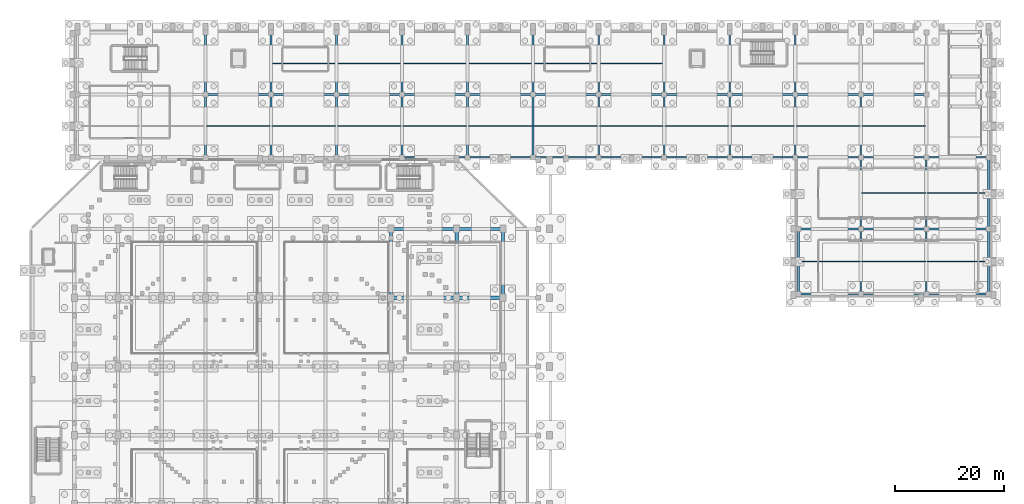
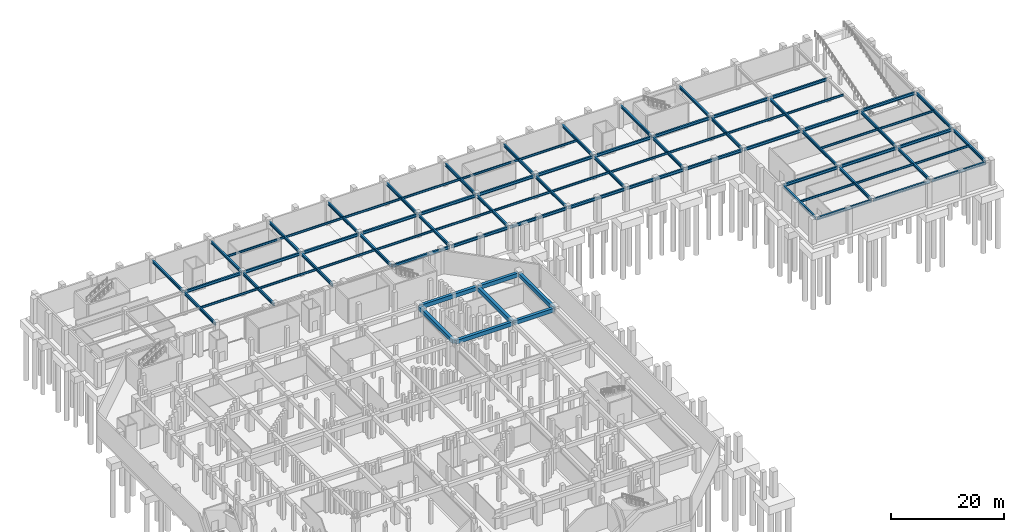
# One storey, part 12 of 27: 83 beams.
"""IFC4 building model written with IfcOpenShell, lengths in metres."""

from ifc_helpers import new_model, si_unit, derived_unit, direction, frame, origin, origin_2d, place, context, subcontext, project, spatial, rectangle, i_section, extrude, material, material_profile, profile_set, type_object, element, save


model = new_model("IFC4")

# Units and contexts
model_context = context("Model", 3, precision=1e-05, world=origin(), true_north=direction((0.0, 1.0)))
body_context = subcontext(model_context, "Body", "Model", "MODEL_VIEW")
ifc_project = project(units=[si_unit("LENGTHUNIT", "METRE"), si_unit("AREAUNIT", "SQUARE_METRE"), si_unit("VOLUMEUNIT", "CUBIC_METRE"), si_unit("PLANEANGLEUNIT", "RADIAN"), si_unit("MASSUNIT", "GRAM", prefix="KILO"), derived_unit("THERMALTRANSMITTANCEUNIT", [(si_unit("MASSUNIT", "GRAM", prefix="KILO"), 1), (si_unit("TIMEUNIT", "SECOND"), -3), (si_unit("THERMODYNAMICTEMPERATUREUNIT", "KELVIN"), -1)])], contexts=[model_context])

# Site, building, storey
site_placement = place(None, origin())
site = spatial("IfcSite", under=ifc_project, at=site_placement, CompositionType="ELEMENT")
building_placement = place(site_placement, origin())
building = spatial("IfcBuilding", under=site, at=building_placement, Name="Valcora Ridge Arena", CompositionType="ELEMENT")
storey_placement = place(building_placement, frame((0.0, 0.0, -5.39990234375)))
storey = spatial("IfcBuildingStorey", under=building, at=storey_placement, Name="B1", CompositionType="ELEMENT", Elevation=-5.39990234375)

# Beams
ifc_material_1 = material(Name="Concrete C40/50", Category="concrete")
ifc_material_profile_1 = material_profile(ifc_material_1, rectangle(XDim=0.60009765625, YDim=0.85009765625, at=origin_2d()), Name="RC 600x850")
ifc_profile_set_1 = profile_set([ifc_material_profile_1], Name="Concrete C40/50")
beam_type_1 = type_object("IfcBeamType", Name="TY-BEAM-BB-RC600-X", PredefinedType="BEAM", material=ifc_profile_set_1)
beam_1_placement = place(storey_placement, frame((82.199951171875, 83.0, 4.534912109375), z_axis=(1.0, 0.0, 0.0), x_axis=(0.0, 1.0, 0.0)))
element("IfcBeam", 1, at=beam_1_placement, inside=storey, type_object=beam_type_1, Name="BB-RC600-X BEM-BB-RC600-X-0030", PredefinedType="BEAM", context=body_context, shape_type="SweptSolid", body=[
    extrude(rectangle(XDim=0.60009765625, YDim=0.85009765625, at=origin_2d()), origin(), (0.0, 0.0, 1.0), 11.60009765625),
])
beam_2_placement = place(storey_placement, frame((94.199951171875, 83.0, 4.534912109375), z_axis=(1.0, 0.0, 0.0), x_axis=(0.0, 1.0, 0.0)))
element("IfcBeam", 2, at=beam_2_placement, inside=storey, type_object=beam_type_1, Name="BB-RC600-X BEM-BB-RC600-X-0031", PredefinedType="BEAM", context=body_context, shape_type="SweptSolid", body=[
    extrude(rectangle(XDim=0.60009765625, YDim=0.85009765625, at=origin_2d()), origin(), (0.0, 0.0, 1.0), 8.10009765625),
])
ifc_material_profile_2 = material_profile(ifc_material_1, rectangle(XDim=0.60009765625, YDim=0.85009765625, at=origin_2d()), Name="RC 600x850")
ifc_profile_set_2 = profile_set([ifc_material_profile_2], Name="Concrete C40/50")
beam_type_2 = type_object("IfcBeamType", Name="TY-BEAM-BB-RC600-Y", PredefinedType="BEAM", material=ifc_profile_set_2)
for number, where, z_axis, x_axis, name in (
    (3, (82.0, 83.199951171875, 4.534912109375), (0.0, 1.0, 0.0), (-1.0, 0.0, 0.0), "BB-RC600-Y BEM-BB-RC600-Y-0035"),
    (4, (94.0, 83.199951171875, 4.534912109375), (0.0, 1.0, 0.0), (-1.0, 0.0, 0.0), "BB-RC600-Y BEM-BB-RC600-Y-0040"),
    (5, (102.5, 83.199951171875, 4.534912109375), (0.0, 1.0, 0.0), (-1.0, 0.0, 0.0), "BB-RC600-Y BEM-BB-RC600-Y-0045"),
):
    element("IfcBeam", number, at=place(storey_placement, frame(where, z_axis=z_axis, x_axis=x_axis)), inside=storey, type_object=beam_type_2, Name=name, PredefinedType="BEAM", context=body_context, shape_type="SweptSolid", body=[
        extrude(rectangle(XDim=0.60009765625, YDim=0.85009765625, at=origin_2d()), origin(), (0.0, 0.0, 1.0), 12.199951171875),
    ])
ifc_material_profile_3 = material_profile(ifc_material_1, rectangle(XDim=0.60009765625, YDim=0.85009765625, at=origin_2d()), Name="RC 600x850")
ifc_profile_set_3 = profile_set([ifc_material_profile_3], Name="Concrete C40/50")
beam_type_3 = type_object("IfcBeamType", Name="TY-BEAM-BEB-RC600", PredefinedType="BEAM", material=ifc_profile_set_3)
beam_3_placement = place(storey_placement, frame((82.199951171875, 95.60009765625, 4.534912109375), z_axis=(1.0, 0.0, 0.0), x_axis=(0.0, 1.0, 0.0)))
element("IfcBeam", 6, at=beam_3_placement, inside=storey, type_object=beam_type_3, Name="BEB-RC600 BEM-BEB-RC600-0015", PredefinedType="BEAM", context=body_context, shape_type="SweptSolid", body=[
    extrude(rectangle(XDim=0.60009765625, YDim=0.85009765625, at=origin_2d()), origin(), (0.0, 0.0, 1.0), 11.60009765625),
])
beam_4_placement = place(storey_placement, frame((94.199951171875, 95.60009765625, 4.534912109375), z_axis=(1.0, 0.0, 0.0), x_axis=(0.0, 1.0, 0.0)))
element("IfcBeam", 7, at=beam_4_placement, inside=storey, type_object=beam_type_3, Name="BEB-RC600 BEM-BEB-RC600-0016", PredefinedType="BEAM", context=body_context, shape_type="SweptSolid", body=[
    extrude(rectangle(XDim=0.60009765625, YDim=0.85009765625, at=origin_2d()), origin(), (0.0, 0.0, 1.0), 8.10009765625),
])
ifc_material_2 = material(Name="Steel ASTM A572 Grade 50", Category="steel")
ifc_material_profile_4 = material_profile(ifc_material_2, i_section(OverallWidth=0.324951171875, OverallDepth=0.612060546875, WebThickness=0.0126953125, FlangeThickness=0.01904296875, FilletRadius=0.01806640625, at=origin_2d()), Name="W24X104")
ifc_profile_set_4 = profile_set([ifc_material_profile_4], Name="Steel ASTM A572 Grade 50")
beam_type_4 = type_object("IfcBeamType", Name="TY-BEAM-BG-W24X104-X", PredefinedType="BEAM", material=ifc_profile_set_4)
beam_5_placement = place(storey_placement, frame((156.739990234375, 95.60009765625, 4.69384765625), z_axis=(1.0, 0.0, 0.0), x_axis=(0.0, 1.0, 0.0)))
element("IfcBeam", 8, at=beam_5_placement, inside=storey, type_object=beam_type_4, Name="BG-W24X104-X BEM-BG-W24X104-X-0001", PredefinedType="BEAM", context=body_context, shape_type="SweptSolid", body=[
    extrude(i_section(OverallWidth=0.324951171875, OverallDepth=0.612060546875, WebThickness=0.0126953125, FlangeThickness=0.01904296875, FilletRadius=0.01806640625, at=origin_2d()), origin(), (0.0, 0.0, 1.0), 11.1201171875),
])
beam_6_placement = place(storey_placement, frame((168.139892578125, 95.60009765625, 4.69384765625), z_axis=(1.0, 0.0, 0.0), x_axis=(0.0, 1.0, 0.0)))
element("IfcBeam", 9, at=beam_6_placement, inside=storey, type_object=beam_type_4, Name="BG-W24X104-X BEM-BG-W24X104-X-0002", PredefinedType="BEAM", context=body_context, shape_type="SweptSolid", body=[
    extrude(i_section(OverallWidth=0.324951171875, OverallDepth=0.612060546875, WebThickness=0.0126953125, FlangeThickness=0.01904296875, FilletRadius=0.01806640625, at=origin_2d()), origin(), (0.0, 0.0, 1.0), 11.72021484375),
])
beam_7_placement = place(storey_placement, frame((180.139892578125, 95.60009765625, 4.69384765625), z_axis=(1.0, 0.0, 0.0), x_axis=(0.0, 1.0, 0.0)))
element("IfcBeam", 10, at=beam_7_placement, inside=storey, type_object=beam_type_4, Name="BG-W24X104-X BEM-BG-W24X104-X-0003", PredefinedType="BEAM", context=body_context, shape_type="SweptSolid", body=[
    extrude(i_section(OverallWidth=0.324951171875, OverallDepth=0.612060546875, WebThickness=0.0126953125, FlangeThickness=0.01904296875, FilletRadius=0.01806640625, at=origin_2d()), origin(), (0.0, 0.0, 1.0), 11.1201171875),
])
for number, where, z_axis, x_axis, name in (
    (11, (84.139892578125, 108.699951171875, 4.69384765625), (1.0, 0.0, 0.0), (0.0, 1.0, 0.0), "BG-W24X104-X BEM-BG-W24X104-X-0009"),
    (12, (96.139892578125, 108.699951171875, 4.69384765625), (1.0, 0.0, 0.0), (0.0, 1.0, 0.0), "BG-W24X104-X BEM-BG-W24X104-X-0010"),
    (13, (108.139892578125, 108.699951171875, 4.69384765625), (1.0, 0.0, 0.0), (0.0, 1.0, 0.0), "BG-W24X104-X BEM-BG-W24X104-X-0011"),
    (14, (120.139892578125, 108.699951171875, 4.69384765625), (1.0, 0.0, 0.0), (0.0, 1.0, 0.0), "BG-W24X104-X BEM-BG-W24X104-X-0012"),
    (15, (132.139892578125, 108.699951171875, 4.69384765625), (1.0, 0.0, 0.0), (0.0, 1.0, 0.0), "BG-W24X104-X BEM-BG-W24X104-X-0013"),
    (16, (144.139892578125, 108.699951171875, 4.69384765625), (1.0, 0.0, 0.0), (0.0, 1.0, 0.0), "BG-W24X104-X BEM-BG-W24X104-X-0014"),
    (17, (156.139892578125, 108.699951171875, 4.69384765625), (1.0, 0.0, 0.0), (0.0, 1.0, 0.0), "BG-W24X104-X BEM-BG-W24X104-X-0015"),
    (18, (168.139892578125, 108.699951171875, 4.69384765625), (1.0, 0.0, 0.0), (0.0, 1.0, 0.0), "BG-W24X104-X BEM-BG-W24X104-X-0016"),
):
    element("IfcBeam", number, at=place(storey_placement, frame(where, z_axis=z_axis, x_axis=x_axis)), inside=storey, type_object=beam_type_4, Name=name, PredefinedType="BEAM", context=body_context, shape_type="SweptSolid", body=[
        extrude(i_section(OverallWidth=0.324951171875, OverallDepth=0.612060546875, WebThickness=0.0126953125, FlangeThickness=0.01904296875, FilletRadius=0.01806640625, at=origin_2d()), origin(), (0.0, 0.0, 1.0), 11.72021484375),
    ])
beam_8_placement = place(storey_placement, frame((180.139892578125, 108.699951171875, 4.69384765625), z_axis=(1.0, 0.0, 0.0), x_axis=(0.0, 1.0, 0.0)))
element("IfcBeam", 19, at=beam_8_placement, inside=storey, type_object=beam_type_4, Name="BG-W24X104-X BEM-BG-W24X104-X-0017", PredefinedType="BEAM", context=body_context, shape_type="SweptSolid", body=[
    extrude(i_section(OverallWidth=0.324951171875, OverallDepth=0.612060546875, WebThickness=0.0126953125, FlangeThickness=0.01904296875, FilletRadius=0.01806640625, at=origin_2d()), origin(), (0.0, 0.0, 1.0), 11.1201171875),
])
for number, where, z_axis, x_axis, name in (
    (20, (48.139892578125, 120.199951171875, 4.69384765625), (1.0, 0.0, 0.0), (0.0, 1.0, 0.0), "BG-W24X104-X BEM-BG-W24X104-X-0020"),
    (21, (60.139892578125, 120.199951171875, 4.69384765625), (1.0, 0.0, 0.0), (0.0, 1.0, 0.0), "BG-W24X104-X BEM-BG-W24X104-X-0021"),
    (22, (72.139892578125, 120.199951171875, 4.69384765625), (1.0, 0.0, 0.0), (0.0, 1.0, 0.0), "BG-W24X104-X BEM-BG-W24X104-X-0022"),
    (23, (84.139892578125, 120.199951171875, 4.69384765625), (1.0, 0.0, 0.0), (0.0, 1.0, 0.0), "BG-W24X104-X BEM-BG-W24X104-X-0023"),
    (24, (96.139892578125, 120.199951171875, 4.69384765625), (1.0, 0.0, 0.0), (0.0, 1.0, 0.0), "BG-W24X104-X BEM-BG-W24X104-X-0024"),
    (25, (108.139892578125, 120.199951171875, 4.69384765625), (1.0, 0.0, 0.0), (0.0, 1.0, 0.0), "BG-W24X104-X BEM-BG-W24X104-X-0025"),
    (26, (120.139892578125, 120.199951171875, 4.69384765625), (1.0, 0.0, 0.0), (0.0, 1.0, 0.0), "BG-W24X104-X BEM-BG-W24X104-X-0026"),
    (27, (132.139892578125, 120.199951171875, 4.69384765625), (1.0, 0.0, 0.0), (0.0, 1.0, 0.0), "BG-W24X104-X BEM-BG-W24X104-X-0027"),
    (28, (144.139892578125, 120.199951171875, 4.69384765625), (1.0, 0.0, 0.0), (0.0, 1.0, 0.0), "BG-W24X104-X BEM-BG-W24X104-X-0028"),
    (29, (156.139892578125, 120.199951171875, 4.69384765625), (1.0, 0.0, 0.0), (0.0, 1.0, 0.0), "BG-W24X104-X BEM-BG-W24X104-X-0029"),
    (30, (168.139892578125, 120.199951171875, 4.69384765625), (1.0, 0.0, 0.0), (0.0, 1.0, 0.0), "BG-W24X104-X BEM-BG-W24X104-X-0030"),
):
    element("IfcBeam", number, at=place(storey_placement, frame(where, z_axis=z_axis, x_axis=x_axis)), inside=storey, type_object=beam_type_4, Name=name, PredefinedType="BEAM", context=body_context, shape_type="SweptSolid", body=[
        extrude(i_section(OverallWidth=0.324951171875, OverallDepth=0.612060546875, WebThickness=0.0126953125, FlangeThickness=0.01904296875, FilletRadius=0.01806640625, at=origin_2d()), origin(), (0.0, 0.0, 1.0), 11.72021484375),
    ])
ifc_material_profile_5 = material_profile(ifc_material_2, i_section(OverallWidth=0.324951171875, OverallDepth=0.612060546875, WebThickness=0.0126953125, FlangeThickness=0.01904296875, FilletRadius=0.01806640625, at=origin_2d()), Name="W24X104")
ifc_profile_set_5 = profile_set([ifc_material_profile_5], Name="Steel ASTM A572 Grade 50")
beam_type_5 = type_object("IfcBeamType", Name="TY-BEAM-BG-W24X104-Y", PredefinedType="BEAM", material=ifc_profile_set_5)
beam_9_placement = place(storey_placement, frame((48.0, 108.840087890625, 4.69384765625), z_axis=(0.0, 1.0, 0.0), x_axis=(-1.0, 0.0, 0.0)))
element("IfcBeam", 31, at=beam_9_placement, inside=storey, type_object=beam_type_5, Name="BG-W24X104-Y BEM-BG-W24X104-Y-0004", PredefinedType="BEAM", context=body_context, shape_type="SweptSolid", body=[
    extrude(i_section(OverallWidth=0.324951171875, OverallDepth=0.612060546875, WebThickness=0.0126953125, FlangeThickness=0.01904296875, FilletRadius=0.01806640625, at=origin_2d()), origin(), (0.0, 0.0, 1.0), 11.219970703125),
])
beam_10_placement = place(storey_placement, frame((48.0, 120.340087890625, 4.69384765625), z_axis=(0.0, 1.0, 0.0), x_axis=(-1.0, 0.0, 0.0)))
element("IfcBeam", 32, at=beam_10_placement, inside=storey, type_object=beam_type_5, Name="BG-W24X104-Y BEM-BG-W24X104-Y-0005", PredefinedType="BEAM", context=body_context, shape_type="SweptSolid", body=[
    extrude(i_section(OverallWidth=0.324951171875, OverallDepth=0.612060546875, WebThickness=0.0126953125, FlangeThickness=0.01904296875, FilletRadius=0.01806640625, at=origin_2d()), origin(), (0.0, 0.0, 1.0), 11.06982421875),
])
beam_11_placement = place(storey_placement, frame((60.0, 108.840087890625, 4.69384765625), z_axis=(0.0, 1.0, 0.0), x_axis=(-1.0, 0.0, 0.0)))
element("IfcBeam", 33, at=beam_11_placement, inside=storey, type_object=beam_type_5, Name="BG-W24X104-Y BEM-BG-W24X104-Y-0006", PredefinedType="BEAM", context=body_context, shape_type="SweptSolid", body=[
    extrude(i_section(OverallWidth=0.324951171875, OverallDepth=0.612060546875, WebThickness=0.0126953125, FlangeThickness=0.01904296875, FilletRadius=0.01806640625, at=origin_2d()), origin(), (0.0, 0.0, 1.0), 11.219970703125),
])
beam_12_placement = place(storey_placement, frame((60.0, 120.340087890625, 4.69384765625), z_axis=(0.0, 1.0, 0.0), x_axis=(-1.0, 0.0, 0.0)))
element("IfcBeam", 34, at=beam_12_placement, inside=storey, type_object=beam_type_5, Name="BG-W24X104-Y BEM-BG-W24X104-Y-0007", PredefinedType="BEAM", context=body_context, shape_type="SweptSolid", body=[
    extrude(i_section(OverallWidth=0.324951171875, OverallDepth=0.612060546875, WebThickness=0.0126953125, FlangeThickness=0.01904296875, FilletRadius=0.01806640625, at=origin_2d()), origin(), (0.0, 0.0, 1.0), 11.06982421875),
])
beam_13_placement = place(storey_placement, frame((72.0, 108.840087890625, 4.69384765625), z_axis=(0.0, 1.0, 0.0), x_axis=(-1.0, 0.0, 0.0)))
element("IfcBeam", 35, at=beam_13_placement, inside=storey, type_object=beam_type_5, Name="BG-W24X104-Y BEM-BG-W24X104-Y-0008", PredefinedType="BEAM", context=body_context, shape_type="SweptSolid", body=[
    extrude(i_section(OverallWidth=0.324951171875, OverallDepth=0.612060546875, WebThickness=0.0126953125, FlangeThickness=0.01904296875, FilletRadius=0.01806640625, at=origin_2d()), origin(), (0.0, 0.0, 1.0), 11.219970703125),
])
beam_14_placement = place(storey_placement, frame((72.0, 120.340087890625, 4.69384765625), z_axis=(0.0, 1.0, 0.0), x_axis=(-1.0, 0.0, 0.0)))
element("IfcBeam", 36, at=beam_14_placement, inside=storey, type_object=beam_type_5, Name="BG-W24X104-Y BEM-BG-W24X104-Y-0009", PredefinedType="BEAM", context=body_context, shape_type="SweptSolid", body=[
    extrude(i_section(OverallWidth=0.324951171875, OverallDepth=0.612060546875, WebThickness=0.0126953125, FlangeThickness=0.01904296875, FilletRadius=0.01806640625, at=origin_2d()), origin(), (0.0, 0.0, 1.0), 11.06982421875),
])
beam_15_placement = place(storey_placement, frame((84.0, 108.840087890625, 4.69384765625), z_axis=(0.0, 1.0, 0.0), x_axis=(-1.0, 0.0, 0.0)))
element("IfcBeam", 37, at=beam_15_placement, inside=storey, type_object=beam_type_5, Name="BG-W24X104-Y BEM-BG-W24X104-Y-0010", PredefinedType="BEAM", context=body_context, shape_type="SweptSolid", body=[
    extrude(i_section(OverallWidth=0.324951171875, OverallDepth=0.612060546875, WebThickness=0.0126953125, FlangeThickness=0.01904296875, FilletRadius=0.01806640625, at=origin_2d()), origin(), (0.0, 0.0, 1.0), 11.219970703125),
])
beam_16_placement = place(storey_placement, frame((84.0, 120.340087890625, 4.69384765625), z_axis=(0.0, 1.0, 0.0), x_axis=(-1.0, 0.0, 0.0)))
element("IfcBeam", 38, at=beam_16_placement, inside=storey, type_object=beam_type_5, Name="BG-W24X104-Y BEM-BG-W24X104-Y-0011", PredefinedType="BEAM", context=body_context, shape_type="SweptSolid", body=[
    extrude(i_section(OverallWidth=0.324951171875, OverallDepth=0.612060546875, WebThickness=0.0126953125, FlangeThickness=0.01904296875, FilletRadius=0.01806640625, at=origin_2d()), origin(), (0.0, 0.0, 1.0), 11.06982421875),
])
beam_17_placement = place(storey_placement, frame((96.0, 108.840087890625, 4.69384765625), z_axis=(0.0, 1.0, 0.0), x_axis=(-1.0, 0.0, 0.0)))
element("IfcBeam", 39, at=beam_17_placement, inside=storey, type_object=beam_type_5, Name="BG-W24X104-Y BEM-BG-W24X104-Y-0012", PredefinedType="BEAM", context=body_context, shape_type="SweptSolid", body=[
    extrude(i_section(OverallWidth=0.324951171875, OverallDepth=0.612060546875, WebThickness=0.0126953125, FlangeThickness=0.01904296875, FilletRadius=0.01806640625, at=origin_2d()), origin(), (0.0, 0.0, 1.0), 11.219970703125),
])
beam_18_placement = place(storey_placement, frame((96.0, 120.340087890625, 4.69384765625), z_axis=(0.0, 1.0, 0.0), x_axis=(-1.0, 0.0, 0.0)))
element("IfcBeam", 40, at=beam_18_placement, inside=storey, type_object=beam_type_5, Name="BG-W24X104-Y BEM-BG-W24X104-Y-0013", PredefinedType="BEAM", context=body_context, shape_type="SweptSolid", body=[
    extrude(i_section(OverallWidth=0.324951171875, OverallDepth=0.612060546875, WebThickness=0.0126953125, FlangeThickness=0.01904296875, FilletRadius=0.01806640625, at=origin_2d()), origin(), (0.0, 0.0, 1.0), 11.06982421875),
])
beam_19_placement = place(storey_placement, frame((108.0, 108.840087890625, 4.69384765625), z_axis=(0.0, 1.0, 0.0), x_axis=(-1.0, 0.0, 0.0)))
element("IfcBeam", 41, at=beam_19_placement, inside=storey, type_object=beam_type_5, Name="BG-W24X104-Y BEM-BG-W24X104-Y-0014", PredefinedType="BEAM", context=body_context, shape_type="SweptSolid", body=[
    extrude(i_section(OverallWidth=0.324951171875, OverallDepth=0.612060546875, WebThickness=0.0126953125, FlangeThickness=0.01904296875, FilletRadius=0.01806640625, at=origin_2d()), origin(), (0.0, 0.0, 1.0), 11.219970703125),
])
beam_20_placement = place(storey_placement, frame((108.0, 120.340087890625, 4.69384765625), z_axis=(0.0, 1.0, 0.0), x_axis=(-1.0, 0.0, 0.0)))
element("IfcBeam", 42, at=beam_20_placement, inside=storey, type_object=beam_type_5, Name="BG-W24X104-Y BEM-BG-W24X104-Y-0015", PredefinedType="BEAM", context=body_context, shape_type="SweptSolid", body=[
    extrude(i_section(OverallWidth=0.324951171875, OverallDepth=0.612060546875, WebThickness=0.0126953125, FlangeThickness=0.01904296875, FilletRadius=0.01806640625, at=origin_2d()), origin(), (0.0, 0.0, 1.0), 11.06982421875),
])
beam_21_placement = place(storey_placement, frame((120.0, 108.840087890625, 4.69384765625), z_axis=(0.0, 1.0, 0.0), x_axis=(-1.0, 0.0, 0.0)))
element("IfcBeam", 43, at=beam_21_placement, inside=storey, type_object=beam_type_5, Name="BG-W24X104-Y BEM-BG-W24X104-Y-0016", PredefinedType="BEAM", context=body_context, shape_type="SweptSolid", body=[
    extrude(i_section(OverallWidth=0.324951171875, OverallDepth=0.612060546875, WebThickness=0.0126953125, FlangeThickness=0.01904296875, FilletRadius=0.01806640625, at=origin_2d()), origin(), (0.0, 0.0, 1.0), 11.219970703125),
])
beam_22_placement = place(storey_placement, frame((120.0, 120.340087890625, 4.69384765625), z_axis=(0.0, 1.0, 0.0), x_axis=(-1.0, 0.0, 0.0)))
element("IfcBeam", 44, at=beam_22_placement, inside=storey, type_object=beam_type_5, Name="BG-W24X104-Y BEM-BG-W24X104-Y-0017", PredefinedType="BEAM", context=body_context, shape_type="SweptSolid", body=[
    extrude(i_section(OverallWidth=0.324951171875, OverallDepth=0.612060546875, WebThickness=0.0126953125, FlangeThickness=0.01904296875, FilletRadius=0.01806640625, at=origin_2d()), origin(), (0.0, 0.0, 1.0), 11.06982421875),
])
beam_23_placement = place(storey_placement, frame((132.0, 108.840087890625, 4.69384765625), z_axis=(0.0, 1.0, 0.0), x_axis=(-1.0, 0.0, 0.0)))
element("IfcBeam", 45, at=beam_23_placement, inside=storey, type_object=beam_type_5, Name="BG-W24X104-Y BEM-BG-W24X104-Y-0018", PredefinedType="BEAM", context=body_context, shape_type="SweptSolid", body=[
    extrude(i_section(OverallWidth=0.324951171875, OverallDepth=0.612060546875, WebThickness=0.0126953125, FlangeThickness=0.01904296875, FilletRadius=0.01806640625, at=origin_2d()), origin(), (0.0, 0.0, 1.0), 11.219970703125),
])
beam_24_placement = place(storey_placement, frame((132.0, 120.340087890625, 4.69384765625), z_axis=(0.0, 1.0, 0.0), x_axis=(-1.0, 0.0, 0.0)))
element("IfcBeam", 46, at=beam_24_placement, inside=storey, type_object=beam_type_5, Name="BG-W24X104-Y BEM-BG-W24X104-Y-0019", PredefinedType="BEAM", context=body_context, shape_type="SweptSolid", body=[
    extrude(i_section(OverallWidth=0.324951171875, OverallDepth=0.612060546875, WebThickness=0.0126953125, FlangeThickness=0.01904296875, FilletRadius=0.01806640625, at=origin_2d()), origin(), (0.0, 0.0, 1.0), 11.06982421875),
])
beam_25_placement = place(storey_placement, frame((144.0, 108.840087890625, 4.69384765625), z_axis=(0.0, 1.0, 0.0), x_axis=(-1.0, 0.0, 0.0)))
element("IfcBeam", 47, at=beam_25_placement, inside=storey, type_object=beam_type_5, Name="BG-W24X104-Y BEM-BG-W24X104-Y-0020", PredefinedType="BEAM", context=body_context, shape_type="SweptSolid", body=[
    extrude(i_section(OverallWidth=0.324951171875, OverallDepth=0.612060546875, WebThickness=0.0126953125, FlangeThickness=0.01904296875, FilletRadius=0.01806640625, at=origin_2d()), origin(), (0.0, 0.0, 1.0), 11.219970703125),
])
beam_26_placement = place(storey_placement, frame((144.0, 120.340087890625, 4.69384765625), z_axis=(0.0, 1.0, 0.0), x_axis=(-1.0, 0.0, 0.0)))
element("IfcBeam", 48, at=beam_26_placement, inside=storey, type_object=beam_type_5, Name="BG-W24X104-Y BEM-BG-W24X104-Y-0021", PredefinedType="BEAM", context=body_context, shape_type="SweptSolid", body=[
    extrude(i_section(OverallWidth=0.324951171875, OverallDepth=0.612060546875, WebThickness=0.0126953125, FlangeThickness=0.01904296875, FilletRadius=0.01806640625, at=origin_2d()), origin(), (0.0, 0.0, 1.0), 11.06982421875),
])
beam_27_placement = place(storey_placement, frame((156.0, 108.840087890625, 4.69384765625), z_axis=(0.0, 1.0, 0.0), x_axis=(-1.0, 0.0, 0.0)))
element("IfcBeam", 49, at=beam_27_placement, inside=storey, type_object=beam_type_5, Name="BG-W24X104-Y BEM-BG-W24X104-Y-0022", PredefinedType="BEAM", context=body_context, shape_type="SweptSolid", body=[
    extrude(i_section(OverallWidth=0.324951171875, OverallDepth=0.612060546875, WebThickness=0.0126953125, FlangeThickness=0.01904296875, FilletRadius=0.01806640625, at=origin_2d()), origin(), (0.0, 0.0, 1.0), 11.219970703125),
])
beam_28_placement = place(storey_placement, frame((156.0, 120.340087890625, 4.69384765625), z_axis=(0.0, 1.0, 0.0), x_axis=(-1.0, 0.0, 0.0)))
element("IfcBeam", 50, at=beam_28_placement, inside=storey, type_object=beam_type_5, Name="BG-W24X104-Y BEM-BG-W24X104-Y-0023", PredefinedType="BEAM", context=body_context, shape_type="SweptSolid", body=[
    extrude(i_section(OverallWidth=0.324951171875, OverallDepth=0.612060546875, WebThickness=0.0126953125, FlangeThickness=0.01904296875, FilletRadius=0.01806640625, at=origin_2d()), origin(), (0.0, 0.0, 1.0), 11.06982421875),
])
for number, where, z_axis, x_axis, name in (
    (51, (156.60009765625, 83.840087890625, 4.69384765625), (0.0, 1.0, 0.0), (-1.0, 0.0, 0.0), "BG-W24X104-Y BEM-BG-W24X104-Y-0024"),
    (52, (168.0, 83.840087890625, 4.69384765625), (0.0, 1.0, 0.0), (-1.0, 0.0, 0.0), "BG-W24X104-Y BEM-BG-W24X104-Y-0025"),
):
    element("IfcBeam", number, at=place(storey_placement, frame(where, z_axis=z_axis, x_axis=x_axis)), inside=storey, type_object=beam_type_5, Name=name, PredefinedType="BEAM", context=body_context, shape_type="SweptSolid", body=[
        extrude(i_section(OverallWidth=0.324951171875, OverallDepth=0.612060546875, WebThickness=0.0126953125, FlangeThickness=0.01904296875, FilletRadius=0.01806640625, at=origin_2d()), origin(), (0.0, 0.0, 1.0), 11.619873046875),
    ])
beam_29_placement = place(storey_placement, frame((168.0, 95.739990234375, 4.69384765625), z_axis=(0.0, 1.0, 0.0), x_axis=(-1.0, 0.0, 0.0)))
element("IfcBeam", 53, at=beam_29_placement, inside=storey, type_object=beam_type_5, Name="BG-W24X104-Y BEM-BG-W24X104-Y-0026", PredefinedType="BEAM", context=body_context, shape_type="SweptSolid", body=[
    extrude(i_section(OverallWidth=0.324951171875, OverallDepth=0.612060546875, WebThickness=0.0126953125, FlangeThickness=0.01904296875, FilletRadius=0.01806640625, at=origin_2d()), origin(), (0.0, 0.0, 1.0), 12.820068359375),
])
beam_30_placement = place(storey_placement, frame((168.0, 108.840087890625, 4.69384765625), z_axis=(0.0, 1.0, 0.0), x_axis=(-1.0, 0.0, 0.0)))
element("IfcBeam", 54, at=beam_30_placement, inside=storey, type_object=beam_type_5, Name="BG-W24X104-Y BEM-BG-W24X104-Y-0027", PredefinedType="BEAM", context=body_context, shape_type="SweptSolid", body=[
    extrude(i_section(OverallWidth=0.324951171875, OverallDepth=0.612060546875, WebThickness=0.0126953125, FlangeThickness=0.01904296875, FilletRadius=0.01806640625, at=origin_2d()), origin(), (0.0, 0.0, 1.0), 11.219970703125),
])
beam_31_placement = place(storey_placement, frame((180.0, 83.840087890625, 4.69384765625), z_axis=(0.0, 1.0, 0.0), x_axis=(-1.0, 0.0, 0.0)))
element("IfcBeam", 55, at=beam_31_placement, inside=storey, type_object=beam_type_5, Name="BG-W24X104-Y BEM-BG-W24X104-Y-0029", PredefinedType="BEAM", context=body_context, shape_type="SweptSolid", body=[
    extrude(i_section(OverallWidth=0.324951171875, OverallDepth=0.612060546875, WebThickness=0.0126953125, FlangeThickness=0.01904296875, FilletRadius=0.01806640625, at=origin_2d()), origin(), (0.0, 0.0, 1.0), 11.619873046875),
])
beam_32_placement = place(storey_placement, frame((180.0, 95.739990234375, 4.69384765625), z_axis=(0.0, 1.0, 0.0), x_axis=(-1.0, 0.0, 0.0)))
element("IfcBeam", 56, at=beam_32_placement, inside=storey, type_object=beam_type_5, Name="BG-W24X104-Y BEM-BG-W24X104-Y-0030", PredefinedType="BEAM", context=body_context, shape_type="SweptSolid", body=[
    extrude(i_section(OverallWidth=0.324951171875, OverallDepth=0.612060546875, WebThickness=0.0126953125, FlangeThickness=0.01904296875, FilletRadius=0.01806640625, at=origin_2d()), origin(), (0.0, 0.0, 1.0), 12.820068359375),
])
beam_33_placement = place(storey_placement, frame((191.39990234375, 83.840087890625, 4.69384765625), z_axis=(0.0, 1.0, 0.0), x_axis=(-1.0, 0.0, 0.0)))
element("IfcBeam", 57, at=beam_33_placement, inside=storey, type_object=beam_type_5, Name="BG-W24X104-Y BEM-BG-W24X104-Y-0033", PredefinedType="BEAM", context=body_context, shape_type="SweptSolid", body=[
    extrude(i_section(OverallWidth=0.324951171875, OverallDepth=0.612060546875, WebThickness=0.0126953125, FlangeThickness=0.01904296875, FilletRadius=0.01806640625, at=origin_2d()), origin(), (0.0, 0.0, 1.0), 11.619873046875),
])
beam_34_placement = place(storey_placement, frame((191.39990234375, 95.739990234375, 4.69384765625), z_axis=(0.0, 1.0, 0.0), x_axis=(-1.0, 0.0, 0.0)))
element("IfcBeam", 58, at=beam_34_placement, inside=storey, type_object=beam_type_5, Name="BG-W24X104-Y BEM-BG-W24X104-Y-0034", PredefinedType="BEAM", context=body_context, shape_type="SweptSolid", body=[
    extrude(i_section(OverallWidth=0.324951171875, OverallDepth=0.612060546875, WebThickness=0.0126953125, FlangeThickness=0.01904296875, FilletRadius=0.01806640625, at=origin_2d()), origin(), (0.0, 0.0, 1.0), 12.820068359375),
])
ifc_material_profile_6 = material_profile(ifc_material_2, i_section(OverallWidth=0.18994140625, OverallDepth=0.45703125, WebThickness=0.009033203125, FlangeThickness=0.014404296875, FilletRadius=0.014892578125, at=origin_2d()), Name="W18X50")
ifc_profile_set_6 = profile_set([ifc_material_profile_6], Name="Steel ASTM A572 Grade 50")
beam_type_6 = type_object("IfcBeamType", Name="TY-BEAM-BJ-W18X50", PredefinedType="JOIST", material=ifc_profile_set_6)
for number, where, z_axis, x_axis, name in (
    (59, (48.10009765625, 114.449951171875, 4.771484375), (1.0, 0.0, 0.0), (0.0, 1.0, 0.0), "BJ-W18X50 BEM-BJ-W18X50-0003"),
    (60, (60.10009765625, 114.449951171875, 4.771484375), (1.0, 0.0, 0.0), (0.0, 1.0, 0.0), "BJ-W18X50 BEM-BJ-W18X50-0004"),
    (61, (60.10009765625, 125.875, 4.771484375), (1.0, 0.0, 0.0), (0.0, 1.0, 0.0), "BJ-W18X50 BEM-BJ-W18X50-0005"),
    (62, (72.10009765625, 114.449951171875, 4.771484375), (1.0, 0.0, 0.0), (0.0, 1.0, 0.0), "BJ-W18X50 BEM-BJ-W18X50-0006"),
    (63, (72.10009765625, 125.875, 4.771484375), (1.0, 0.0, 0.0), (0.0, 1.0, 0.0), "BJ-W18X50 BEM-BJ-W18X50-0007"),
    (64, (84.10009765625, 114.449951171875, 4.771484375), (1.0, 0.0, 0.0), (0.0, 1.0, 0.0), "BJ-W18X50 BEM-BJ-W18X50-0008"),
    (65, (84.10009765625, 125.875, 4.771484375), (1.0, 0.0, 0.0), (0.0, 1.0, 0.0), "BJ-W18X50 BEM-BJ-W18X50-0009"),
    (66, (96.10009765625, 114.449951171875, 4.771484375), (1.0, 0.0, 0.0), (0.0, 1.0, 0.0), "BJ-W18X50 BEM-BJ-W18X50-0010"),
    (67, (96.10009765625, 125.875, 4.771484375), (1.0, 0.0, 0.0), (0.0, 1.0, 0.0), "BJ-W18X50 BEM-BJ-W18X50-0011"),
    (68, (108.10009765625, 114.449951171875, 4.771484375), (1.0, 0.0, 0.0), (0.0, 1.0, 0.0), "BJ-W18X50 BEM-BJ-W18X50-0012"),
    (69, (108.10009765625, 125.875, 4.771484375), (1.0, 0.0, 0.0), (0.0, 1.0, 0.0), "BJ-W18X50 BEM-BJ-W18X50-0013"),
    (70, (120.10009765625, 114.449951171875, 4.771484375), (1.0, 0.0, 0.0), (0.0, 1.0, 0.0), "BJ-W18X50 BEM-BJ-W18X50-0014"),
    (71, (120.10009765625, 125.875, 4.771484375), (1.0, 0.0, 0.0), (0.0, 1.0, 0.0), "BJ-W18X50 BEM-BJ-W18X50-0015"),
    (72, (132.10009765625, 114.449951171875, 4.771484375), (1.0, 0.0, 0.0), (0.0, 1.0, 0.0), "BJ-W18X50 BEM-BJ-W18X50-0016"),
    (73, (144.10009765625, 114.449951171875, 4.771484375), (1.0, 0.0, 0.0), (0.0, 1.0, 0.0), "BJ-W18X50 BEM-BJ-W18X50-0017"),
    (74, (156.10009765625, 114.449951171875, 4.771484375), (1.0, 0.0, 0.0), (0.0, 1.0, 0.0), "BJ-W18X50 BEM-BJ-W18X50-0018"),
):
    element("IfcBeam", number, at=place(storey_placement, frame(where, z_axis=z_axis, x_axis=x_axis)), inside=storey, type_object=beam_type_6, Name=name, PredefinedType="JOIST", context=body_context, shape_type="SweptSolid", body=[
        extrude(i_section(OverallWidth=0.18994140625, OverallDepth=0.45703125, WebThickness=0.009033203125, FlangeThickness=0.014404296875, FilletRadius=0.014892578125, at=origin_2d()), origin(), (0.0, 0.0, 1.0), 11.7998046875),
    ])
beam_35_placement = place(storey_placement, frame((156.699951171875, 89.64990234375, 4.771484375), z_axis=(1.0, 0.0, 0.0), x_axis=(0.0, 1.0, 0.0)))
element("IfcBeam", 75, at=beam_35_placement, inside=storey, type_object=beam_type_6, Name="BJ-W18X50 BEM-BJ-W18X50-0020", PredefinedType="JOIST", context=body_context, shape_type="SweptSolid", body=[
    extrude(i_section(OverallWidth=0.18994140625, OverallDepth=0.45703125, WebThickness=0.009033203125, FlangeThickness=0.014404296875, FilletRadius=0.014892578125, at=origin_2d()), origin(), (0.0, 0.0, 1.0), 11.199951171875),
])
for number, where, z_axis, x_axis, name in (
    (76, (168.10009765625, 89.64990234375, 4.771484375), (1.0, 0.0, 0.0), (0.0, 1.0, 0.0), "BJ-W18X50 BEM-BJ-W18X50-0021"),
    (77, (168.10009765625, 102.14990234375, 4.771484375), (1.0, 0.0, 0.0), (0.0, 1.0, 0.0), "BJ-W18X50 BEM-BJ-W18X50-0022"),
    (78, (168.10009765625, 114.449951171875, 4.771484375), (1.0, 0.0, 0.0), (0.0, 1.0, 0.0), "BJ-W18X50 BEM-BJ-W18X50-0023"),
):
    element("IfcBeam", number, at=place(storey_placement, frame(where, z_axis=z_axis, x_axis=x_axis)), inside=storey, type_object=beam_type_6, Name=name, PredefinedType="JOIST", context=body_context, shape_type="SweptSolid", body=[
        extrude(i_section(OverallWidth=0.18994140625, OverallDepth=0.45703125, WebThickness=0.009033203125, FlangeThickness=0.014404296875, FilletRadius=0.014892578125, at=origin_2d()), origin(), (0.0, 0.0, 1.0), 11.7998046875),
    ])
for number, where, z_axis, x_axis, name in (
    (79, (180.10009765625, 89.64990234375, 4.771484375), (1.0, 0.0, 0.0), (0.0, 1.0, 0.0), "BJ-W18X50 BEM-BJ-W18X50-0025"),
    (80, (180.10009765625, 102.14990234375, 4.771484375), (1.0, 0.0, 0.0), (0.0, 1.0, 0.0), "BJ-W18X50 BEM-BJ-W18X50-0026"),
):
    element("IfcBeam", number, at=place(storey_placement, frame(where, z_axis=z_axis, x_axis=x_axis)), inside=storey, type_object=beam_type_6, Name=name, PredefinedType="JOIST", context=body_context, shape_type="SweptSolid", body=[
        extrude(i_section(OverallWidth=0.18994140625, OverallDepth=0.45703125, WebThickness=0.009033203125, FlangeThickness=0.014404296875, FilletRadius=0.014892578125, at=origin_2d()), origin(), (0.0, 0.0, 1.0), 11.199951171875),
    ])
ifc_material_profile_7 = material_profile(ifc_material_2, i_section(OverallWidth=0.324951171875, OverallDepth=0.612060546875, WebThickness=0.0126953125, FlangeThickness=0.01904296875, FilletRadius=0.01806640625, at=origin_2d()), Name="W24X104")
ifc_profile_set_7 = profile_set([ifc_material_profile_7], Name="Steel ASTM A572 Grade 50")
beam_type_7 = type_object("IfcBeamType", Name="TY-BEAM-BSP-W24X104", PredefinedType="SPANDREL", material=ifc_profile_set_7)
beam_36_placement = place(storey_placement, frame((156.739990234375, 83.699951171875, 4.69384765625), z_axis=(1.0, 0.0, 0.0), x_axis=(0.0, 1.0, 0.0)))
element("IfcBeam", 81, at=beam_36_placement, inside=storey, type_object=beam_type_7, Name="BSP-W24X104 BEM-BSP-W24X104-0001", PredefinedType="SPANDREL", context=body_context, shape_type="SweptSolid", body=[
    extrude(i_section(OverallWidth=0.324951171875, OverallDepth=0.612060546875, WebThickness=0.0126953125, FlangeThickness=0.01904296875, FilletRadius=0.01806640625, at=origin_2d()), origin(), (0.0, 0.0, 1.0), 11.1201171875),
])
beam_37_placement = place(storey_placement, frame((168.139892578125, 83.699951171875, 4.69384765625), z_axis=(1.0, 0.0, 0.0), x_axis=(0.0, 1.0, 0.0)))
element("IfcBeam", 82, at=beam_37_placement, inside=storey, type_object=beam_type_7, Name="BSP-W24X104 BEM-BSP-W24X104-0002", PredefinedType="SPANDREL", context=body_context, shape_type="SweptSolid", body=[
    extrude(i_section(OverallWidth=0.324951171875, OverallDepth=0.612060546875, WebThickness=0.0126953125, FlangeThickness=0.01904296875, FilletRadius=0.01806640625, at=origin_2d()), origin(), (0.0, 0.0, 1.0), 11.72021484375),
])
beam_38_placement = place(storey_placement, frame((180.139892578125, 83.699951171875, 4.69384765625), z_axis=(1.0, 0.0, 0.0), x_axis=(0.0, 1.0, 0.0)))
element("IfcBeam", 83, at=beam_38_placement, inside=storey, type_object=beam_type_7, Name="BSP-W24X104 BEM-BSP-W24X104-0003", PredefinedType="SPANDREL", context=body_context, shape_type="SweptSolid", body=[
    extrude(i_section(OverallWidth=0.324951171875, OverallDepth=0.612060546875, WebThickness=0.0126953125, FlangeThickness=0.01904296875, FilletRadius=0.01806640625, at=origin_2d()), origin(), (0.0, 0.0, 1.0), 11.1201171875),
])

save(model, "model.ifc")
